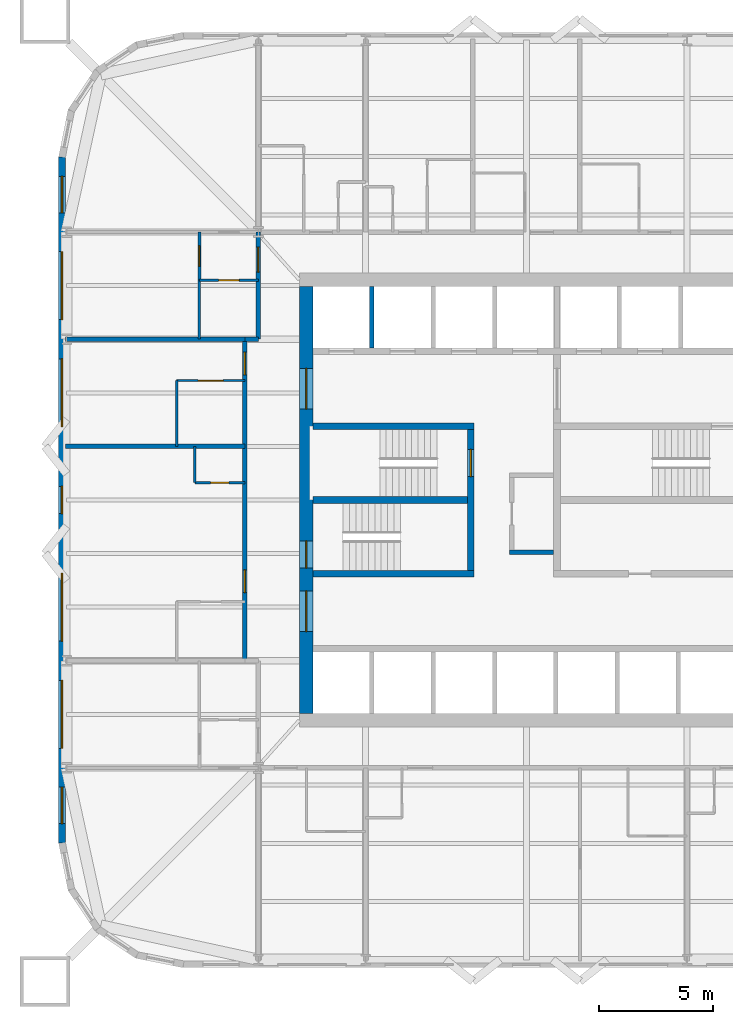
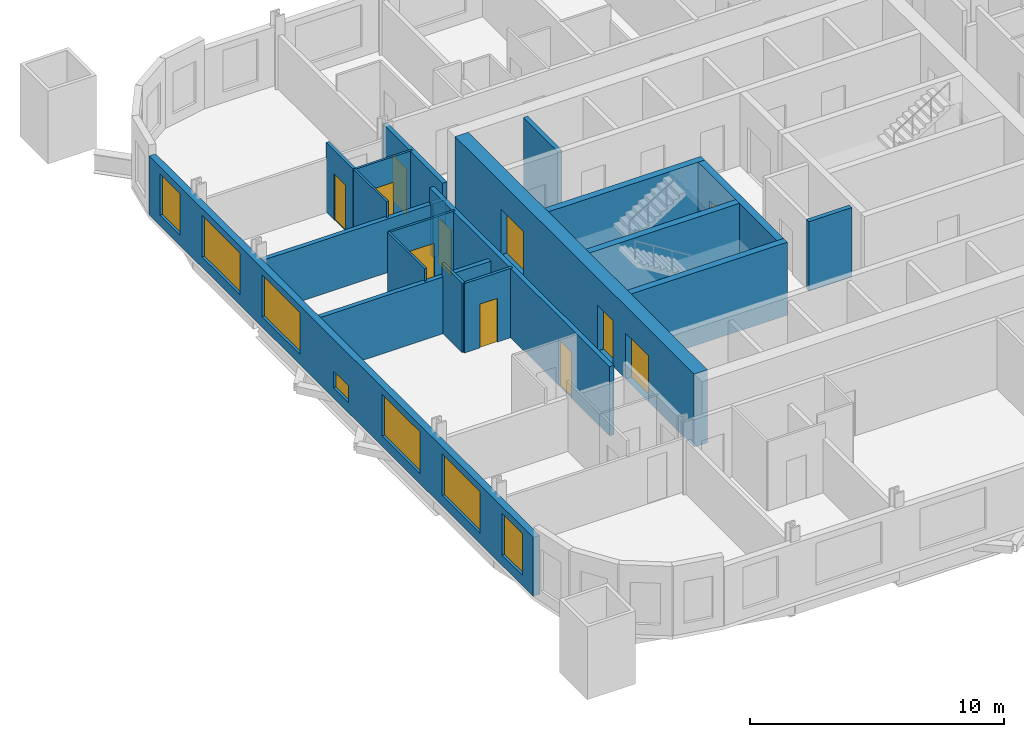
# One storey, part 4 of 9: 20 walls, 11 doors, 7 windows, 18 openings.
"""IFC4 building model written with IfcOpenShell, lengths in metres."""

from ifc_helpers import new_model, si_unit, direction, frame, frame_2d, origin, place, context, subcontext, project, spatial, rectangle, extrude, material, layer, layer_set, type_object, element, fill, save


model = new_model("IFC4")

# Units and contexts
model_context = context("Model", 3, precision=1e-05, world=origin(), true_north=direction((0.0, 1.0)))
body_context = subcontext(model_context, "Body", "Model", "MODEL_VIEW")
ifc_project = project(units=[si_unit("LENGTHUNIT", "METRE"), si_unit("AREAUNIT", "SQUARE_METRE"), si_unit("VOLUMEUNIT", "CUBIC_METRE"), si_unit("PLANEANGLEUNIT", "RADIAN"), si_unit("MASSUNIT", "GRAM", prefix="KILO")], contexts=[model_context])

# Site, building, storey
site_placement = place(None, origin())
site = spatial("IfcSite", under=ifc_project, at=site_placement, CompositionType="ELEMENT")
building_placement = place(site_placement, origin())
building = spatial("IfcBuilding", under=site, at=building_placement, Name="Turquesa Mirador Hotel Tower", CompositionType="ELEMENT")
storey_placement = place(building_placement, frame((0.0, 0.0, 121.39990234375)))
storey = spatial("IfcBuildingStorey", under=building, at=storey_placement, Name="L32", CompositionType="ELEMENT", Elevation=121.39990234375)

# Wall, opening, door
ifc_material_1 = material(Name="Gypsum board on steel studs", Category="steel")
ifc_layer_1 = layer(ifc_material_1, 0.10009765625)
ifc_layer_set_1 = layer_set([ifc_layer_1], Name="BATHROOM WALL 100")
wall_type_1 = type_object("IfcWallType", Name="BATHROOM WALL 100", PredefinedType="PARTITIONING", material=ifc_layer_set_1)
wall_1_placement = place(storey_placement, frame((39.60009765625, 50.260009765625, 0.0), z_axis=(0.0, 0.0, 1.0), x_axis=(1.0, 0.0, 0.0)))
wall_1 = element("IfcWall", 1, at=wall_1_placement, inside=storey, type_object=wall_type_1, Name="Partition L32 034", PredefinedType="PARTITIONING", context=body_context, shape_type="SweptSolid", body=[
    extrude(rectangle(XDim=3.0, YDim=0.10009765625, at=frame_2d((1.5, 0.0))), origin(), (0.0, 0.0, 1.0), 3.330078125),
])
opening_1_placement = place(wall_1_placement, frame((0.949951171875, 0.0, 0.0)))
opening_1 = element("IfcOpeningElement", 2, at=opening_1_placement, cuts=wall_1, Name="Opening D16", PredefinedType="OPENING", context=body_context, shape_type="SweptSolid", body=[
    extrude(rectangle(XDim=1.10009765625, YDim=2.10009765625, at=frame_2d((0.550048828125, 1.050048828125))), frame((0.0, 0.06005859375, 0.0), z_axis=(0.0, -1.0, 0.0), x_axis=(1.0, 0.0, 0.0)), (0.0, 0.0, 1.0), 0.1201171875),
])
ifc_material_2 = material(Name="Timber veneered sliding door", Category="wood")
door_type_1 = type_object("IfcDoorType", Name="DOOR 1100X2100 ACCESSIBLE EN-SUITE", OperationType="SLIDING_TO_LEFT", PredefinedType="DOOR", material=ifc_material_2)
door_1_placement = place(opening_1_placement, origin())
door_1 = element("IfcDoor", 3, at=door_1_placement, inside=storey, type_object=door_type_1, Name="Door 3212B", OperationType="SLIDING_TO_LEFT", OverallHeight=2.10009765625, OverallWidth=1.10009765625, PredefinedType="DOOR", context=body_context, shape_type="SweptSolid", body=[
    extrude(rectangle(XDim=1.10009765625, YDim=2.10009765625, at=frame_2d((0.550048828125, 1.050048828125))), frame((0.0, 0.02490234375, 0.0), z_axis=(0.0, -1.0, 0.0), x_axis=(1.0, 0.0, 0.0)), (0.0, 0.0, 1.0), 0.050048828125),
])
fill(opening_1, door_1)

wall_2_placement = place(storey_placement, frame((40.60009765625, 54.679931640625, 0.0), z_axis=(0.0, 0.0, 1.0), x_axis=(1.0, 0.0, 0.0)))
wall_2 = element("IfcWall", 4, at=wall_2_placement, inside=storey, type_object=wall_type_1, Name="Partition L32 039", PredefinedType="PARTITIONING", context=body_context, shape_type="SweptSolid", body=[
    extrude(rectangle(XDim=2.599853515625, YDim=0.10009765625, at=frame_2d((1.2998046875, 0.0))), origin(), (0.0, 0.0, 1.0), 3.330078125),
])
opening_2_placement = place(wall_2_placement, frame((0.85009765625, 0.0, 0.0)))
opening_2 = element("IfcOpeningElement", 5, at=opening_2_placement, cuts=wall_2, Name="Opening D02", PredefinedType="OPENING", context=body_context, shape_type="SweptSolid", body=[
    extrude(rectangle(XDim=0.89990234375, YDim=2.10009765625, at=frame_2d((0.449951171875, 1.050048828125))), frame((0.0, 0.06005859375, 0.0), z_axis=(0.0, -1.0, 0.0), x_axis=(1.0, 0.0, 0.0)), (0.0, 0.0, 1.0), 0.1201171875),
])
ifc_material_3 = material(Name="Timber veneered door", Category="wood")
door_type_2 = type_object("IfcDoorType", Name="DOOR 900X2100 EN-SUITE", OperationType="SINGLE_SWING_RIGHT", PredefinedType="DOOR", material=ifc_material_3)
door_2_placement = place(opening_2_placement, origin())
door_2 = element("IfcDoor", 6, at=door_2_placement, inside=storey, type_object=door_type_2, Name="Door 3214B", OperationType="SINGLE_SWING_RIGHT", OverallHeight=2.10009765625, OverallWidth=0.89990234375, PredefinedType="DOOR", context=body_context, shape_type="SweptSolid", body=[
    extrude(rectangle(XDim=0.89990234375, YDim=2.10009765625, at=frame_2d((0.449951171875, 1.050048828125))), frame((0.0, 0.02490234375, 0.0), z_axis=(0.0, -1.0, 0.0), x_axis=(1.0, 0.0, 0.0)), (0.0, 0.0, 1.0), 0.050048828125),
])
fill(opening_2, door_2)

# Walls
wall_3_placement = place(storey_placement, frame((40.60009765625, 52.080078125, 0.0), z_axis=(0.0, 0.0, 1.0), x_axis=(0.0, 1.0, 0.0)))
element("IfcWall", 7, at=wall_3_placement, inside=storey, type_object=wall_type_1, Name="Partition L32 048", PredefinedType="PARTITIONING", context=body_context, shape_type="SweptSolid", body=[
    extrude(rectangle(XDim=2.599853515625, YDim=0.10009765625, at=frame_2d((1.2998046875, 0.0))), origin(), (0.0, 0.0, 1.0), 3.330078125),
])
wall_4_placement = place(storey_placement, frame((39.60009765625, 47.360107421875, 0.0), z_axis=(0.0, 0.0, 1.0), x_axis=(0.0, 1.0, 0.0)))
element("IfcWall", 8, at=wall_4_placement, inside=storey, type_object=wall_type_1, Name="Partition L32 053", PredefinedType="PARTITIONING", context=body_context, shape_type="SweptSolid", body=[
    extrude(rectangle(XDim=2.89990234375, YDim=0.10009765625, at=frame_2d((1.449951171875, 0.0))), origin(), (0.0, 0.0, 1.0), 3.330078125),
])
ifc_material_4 = material(Name="Concrete C50/60", Category="concrete")
ifc_layer_2 = layer(ifc_material_4, 0.300048828125)
ifc_layer_set_2 = layer_set([ifc_layer_2], Name="CORE INNER WALL 300")
wall_type_2 = type_object("IfcWallType", Name="CORE INNER WALL 300", PredefinedType="SHEAR", material=ifc_layer_set_2)
for number, where, z_axis, x_axis, name in (
    (9, (45.60009765625, 48.25, 0.0), (0.0, 0.0, 1.0), (1.0, 0.0, 0.0), "Core wall MN-W"),
    (10, (45.60009765625, 41.75, 0.0), (0.0, 0.0, 1.0), (1.0, 0.0, 0.0), "Core wall MS-W"),
):
    element("IfcWall", number, at=place(storey_placement, frame(where, z_axis=z_axis, x_axis=x_axis)), inside=storey, type_object=wall_type_2, Name=name, PredefinedType="SHEAR", context=body_context, shape_type="SweptSolid", body=[
        extrude(rectangle(XDim=7.099853515625, YDim=0.300048828125, at=frame_2d((3.5498046875, 0.0))), origin(), (0.0, 0.0, 1.0), 3.5),
    ])

# Wall, opening, door
wall_5_placement = place(storey_placement, frame((52.550048828125, 41.89990234375, 0.0), z_axis=(0.0, 0.0, 1.0), x_axis=(0.0, 1.0, 0.0)))
wall_5 = element("IfcWall", 11, at=wall_5_placement, inside=storey, type_object=wall_type_2, Name="Core wall PW", PredefinedType="SHEAR", context=body_context, shape_type="SweptSolid", body=[
    extrude(rectangle(XDim=6.2001953125, YDim=0.300048828125, at=frame_2d((3.10009765625, 0.0))), origin(), (0.0, 0.0, 1.0), 3.5),
])
opening_3_placement = place(wall_5_placement, frame((4.125, 0.0, 0.0)))
opening_3 = element("IfcOpeningElement", 12, at=opening_3_placement, cuts=wall_5, Name="Opening D03", PredefinedType="OPENING", context=body_context, shape_type="SweptSolid", body=[
    extrude(rectangle(XDim=1.199951171875, YDim=2.199951171875, at=frame_2d((0.60009765625, 1.10009765625))), frame((0.0, 0.159912109375, 0.0), z_axis=(0.0, -1.0, 0.0), x_axis=(1.0, 0.0, 0.0)), (0.0, 0.0, 1.0), 0.320068359375),
])
ifc_material_5 = material(Name="Steel fire door", Category="steel")
door_type_3 = type_object("IfcDoorType", Name="DOOR 1200X2200 STAIR", OperationType="SINGLE_SWING_LEFT", PredefinedType="DOOR", material=ifc_material_5)
door_3_placement = place(opening_3_placement, origin())
door_3 = element("IfcDoor", 13, at=door_3_placement, inside=storey, type_object=door_type_3, Name="Stair ST1 door", OperationType="SINGLE_SWING_LEFT", OverallHeight=2.199951171875, OverallWidth=1.199951171875, PredefinedType="DOOR", context=body_context, shape_type="SweptSolid", body=[
    extrude(rectangle(XDim=1.199951171875, YDim=2.199951171875, at=frame_2d((0.60009765625, 1.10009765625))), frame((0.0, 0.02490234375, 0.0), z_axis=(0.0, -1.0, 0.0), x_axis=(1.0, 0.0, 0.0)), (0.0, 0.0, 1.0), 0.050048828125),
])
fill(opening_3, door_3)

# Wall
wall_6_placement = place(storey_placement, frame((45.60009765625, 45.0, 0.0), z_axis=(0.0, 0.0, 1.0), x_axis=(1.0, 0.0, 0.0)))
element("IfcWall", 14, at=wall_6_placement, inside=storey, type_object=wall_type_2, Name="Core wall M0-W", PredefinedType="SHEAR", context=body_context, shape_type="SweptSolid", body=[
    extrude(rectangle(XDim=6.7998046875, YDim=0.300048828125, at=frame_2d((3.39990234375, 0.0))), origin(), (0.0, 0.0, 1.0), 3.5),
])

# Wall, openings, doors
ifc_material_6 = material(Name="Concrete C50/60", Category="concrete")
ifc_layer_3 = layer(ifc_material_6, 0.60009765625)
ifc_layer_set_3 = layer_set([ifc_layer_3], Name="CORE WALL 600")
wall_type_3 = type_object("IfcWallType", Name="CORE WALL 600", PredefinedType="SHEAR", material=ifc_layer_set_3)
wall_7_placement = place(storey_placement, frame((45.300048828125, 35.60009765625, 0.0), z_axis=(0.0, 0.0, 1.0), x_axis=(0.0, 1.0, 0.0)))
wall_7 = element("IfcWall", 15, at=wall_7_placement, inside=storey, type_object=wall_type_3, Name="Core wall W", PredefinedType="SHEAR", context=body_context, shape_type="SweptSolid", body=[
    extrude(rectangle(XDim=18.7998046875, YDim=0.60009765625, at=frame_2d((9.39990234375, 0.0))), origin(), (0.0, 0.0, 1.0), 3.5),
])
opening_4_placement = place(wall_7_placement, frame((13.39990234375, 0.0, 0.0)))
opening_4 = element("IfcOpeningElement", 16, at=opening_4_placement, cuts=wall_7, Name="Opening D04", PredefinedType="OPENING", context=body_context, shape_type="SweptSolid", body=[
    extrude(rectangle(XDim=1.800048828125, YDim=2.199951171875, at=frame_2d((0.89990234375, 1.10009765625))), frame((0.0, 0.31005859375, 0.0), z_axis=(0.0, -1.0, 0.0), x_axis=(1.0, 0.0, 0.0)), (0.0, 0.0, 1.0), 0.6201171875),
])
opening_5_placement = place(wall_7_placement, frame((3.60009765625, 0.0, 0.0)))
opening_5 = element("IfcOpeningElement", 17, at=opening_5_placement, cuts=wall_7, Name="Opening D04", PredefinedType="OPENING", context=body_context, shape_type="SweptSolid", body=[
    extrude(rectangle(XDim=1.800048828125, YDim=2.199951171875, at=frame_2d((0.89990234375, 1.10009765625))), frame((0.0, 0.31005859375, 0.0), z_axis=(0.0, -1.0, 0.0), x_axis=(1.0, 0.0, 0.0)), (0.0, 0.0, 1.0), 0.6201171875),
])
opening_6_placement = place(wall_7_placement, frame((6.39990234375, 0.0, 0.0)))
opening_6 = element("IfcOpeningElement", 18, at=opening_6_placement, cuts=wall_7, Name="Opening D03", PredefinedType="OPENING", context=body_context, shape_type="SweptSolid", body=[
    extrude(rectangle(XDim=1.199951171875, YDim=2.199951171875, at=frame_2d((0.60009765625, 1.10009765625))), frame((0.0, 0.31005859375, 0.0), z_axis=(0.0, -1.0, 0.0), x_axis=(1.0, 0.0, 0.0)), (0.0, 0.0, 1.0), 0.6201171875),
])
door_4_placement = place(opening_6_placement, origin())
door_4 = element("IfcDoor", 19, at=door_4_placement, inside=storey, type_object=door_type_3, Name="Stair ST2 door", OperationType="SINGLE_SWING_LEFT", OverallHeight=2.199951171875, OverallWidth=1.199951171875, PredefinedType="DOOR", context=body_context, shape_type="SweptSolid", body=[
    extrude(rectangle(XDim=1.199951171875, YDim=2.199951171875, at=frame_2d((0.60009765625, 1.10009765625))), frame((0.0, 0.02490234375, 0.0), z_axis=(0.0, -1.0, 0.0), x_axis=(1.0, 0.0, 0.0)), (0.0, 0.0, 1.0), 0.050048828125),
])
fill(opening_6, door_4)
ifc_material_7 = material(Name="Steel fire door pair", Category="steel")
door_type_4 = type_object("IfcDoorType", Name="DOOR 1800X2200 PAIR", OperationType="DOUBLE_DOOR_SINGLE_SWING", PredefinedType="DOOR", material=ifc_material_7)
door_5_placement = place(opening_4_placement, origin())
door_5 = element("IfcDoor", 20, at=door_5_placement, inside=storey, type_object=door_type_4, Name="North lift lobby door", OperationType="DOUBLE_DOOR_SINGLE_SWING", OverallHeight=2.199951171875, OverallWidth=1.800048828125, PredefinedType="DOOR", context=body_context, shape_type="SweptSolid", body=[
    extrude(rectangle(XDim=1.800048828125, YDim=2.199951171875, at=frame_2d((0.89990234375, 1.10009765625))), frame((0.0, 0.02490234375, 0.0), z_axis=(0.0, -1.0, 0.0), x_axis=(1.0, 0.0, 0.0)), (0.0, 0.0, 1.0), 0.050048828125),
])
fill(opening_4, door_5)
door_6_placement = place(opening_5_placement, origin())
door_6 = element("IfcDoor", 21, at=door_6_placement, inside=storey, type_object=door_type_4, Name="South lift lobby door", OperationType="DOUBLE_DOOR_SINGLE_SWING", OverallHeight=2.199951171875, OverallWidth=1.800048828125, PredefinedType="DOOR", context=body_context, shape_type="SweptSolid", body=[
    extrude(rectangle(XDim=1.800048828125, YDim=2.199951171875, at=frame_2d((0.89990234375, 1.10009765625))), frame((0.0, 0.02490234375, 0.0), z_axis=(0.0, -1.0, 0.0), x_axis=(1.0, 0.0, 0.0)), (0.0, 0.0, 1.0), 0.050048828125),
])
fill(opening_5, door_6)

# Wall
ifc_material_8 = material(Name="Fire-rated gypsum board on steel studs", Category="steel")
ifc_layer_4 = layer(ifc_material_8, 0.199951171875)
ifc_layer_set_4 = layer_set([ifc_layer_4], Name="CORRIDOR WALL 200")
wall_type_4 = type_object("IfcWallType", Name="CORRIDOR WALL 200", PredefinedType="PARTITIONING", material=ifc_layer_set_4)
wall_8_placement = place(storey_placement, frame((42.60009765625, 52.080078125, 0.0), z_axis=(0.0, 0.0, 1.0), x_axis=(1.0, 0.0, 0.0)))
element("IfcWall", 22, at=wall_8_placement, inside=storey, type_object=wall_type_4, Name="Partition L32 035", PredefinedType="PARTITIONING", context=body_context, shape_type="SweptSolid", body=[
    extrude(rectangle(XDim=0.599853515625, YDim=0.199951171875, at=frame_2d((0.2998046875, 0.0))), origin(), (0.0, 0.0, 1.0), 2.5732421875),
])

# Wall, opening, door
wall_9_placement = place(storey_placement, frame((43.199951171875, 52.080078125, 0.0), z_axis=(0.0, 0.0, 1.0), x_axis=(0.0, 1.0, 0.0)))
wall_9 = element("IfcWall", 23, at=wall_9_placement, inside=storey, type_object=wall_type_4, Name="Partition L32 043", PredefinedType="PARTITIONING", context=body_context, shape_type="SweptSolid", body=[
    extrude(rectangle(XDim=4.719970703125, YDim=0.199951171875, at=frame_2d((2.35986328125, 0.0))), origin(), (0.0, 0.0, 1.0), 3.330078125),
])
opening_7_placement = place(wall_9_placement, frame((2.9599609375, 0.0, 0.0)))
opening_7 = element("IfcOpeningElement", 24, at=opening_7_placement, cuts=wall_9, Name="Opening D15", PredefinedType="OPENING", context=body_context, shape_type="SweptSolid", body=[
    extrude(rectangle(XDim=1.10009765625, YDim=2.199951171875, at=frame_2d((0.550048828125, 1.10009765625))), frame((0.0, 0.10986328125, 0.0), z_axis=(0.0, -1.0, 0.0), x_axis=(1.0, 0.0, 0.0)), (0.0, 0.0, 1.0), 0.219970703125),
])
ifc_material_9 = material(Name="Timber veneered fire door", Category="wood")
door_type_5 = type_object("IfcDoorType", Name="DOOR 1100X2200 SUITE ENTRY", OperationType="SINGLE_SWING_LEFT", PredefinedType="DOOR", material=ifc_material_9)
door_7_placement = place(opening_7_placement, origin())
door_7 = element("IfcDoor", 25, at=door_7_placement, inside=storey, type_object=door_type_5, Name="Door 3214H", OperationType="SINGLE_SWING_LEFT", OverallHeight=2.199951171875, OverallWidth=1.10009765625, PredefinedType="DOOR", context=body_context, shape_type="SweptSolid", body=[
    extrude(rectangle(XDim=1.10009765625, YDim=2.199951171875, at=frame_2d((0.550048828125, 1.10009765625))), frame((0.0, 0.02490234375, 0.0), z_axis=(0.0, -1.0, 0.0), x_axis=(1.0, 0.0, 0.0)), (0.0, 0.0, 1.0), 0.050048828125),
])
fill(opening_7, door_7)

# Wall, openings, doors
wall_10_placement = place(storey_placement, frame((42.60009765625, 37.919921875, 0.0), z_axis=(0.0, 0.0, 1.0), x_axis=(0.0, 1.0, 0.0)))
wall_10 = element("IfcWall", 26, at=wall_10_placement, inside=storey, type_object=wall_type_4, Name="Partition L32 046", PredefinedType="PARTITIONING", context=body_context, shape_type="SweptSolid", body=[
    extrude(rectangle(XDim=14.16015625, YDim=0.199951171875, at=frame_2d((7.080078125, 0.0))), origin(), (0.0, 0.0, 1.0), 3.330078125),
])
opening_8_placement = place(wall_10_placement, frame((3.0, 0.0, 0.0)))
opening_8 = element("IfcOpeningElement", 27, at=opening_8_placement, cuts=wall_10, Name="Opening D01", PredefinedType="OPENING", context=body_context, shape_type="SweptSolid", body=[
    extrude(rectangle(XDim=1.0, YDim=2.199951171875, at=frame_2d((0.5, 1.10009765625))), frame((0.0, 0.10986328125, 0.0), z_axis=(0.0, -1.0, 0.0), x_axis=(1.0, 0.0, 0.0)), (0.0, 0.0, 1.0), 0.219970703125),
])
opening_9_placement = place(wall_10_placement, frame((12.590087890625, 0.0, 0.0)))
opening_9 = element("IfcOpeningElement", 28, at=opening_9_placement, cuts=wall_10, Name="Opening D01", PredefinedType="OPENING", context=body_context, shape_type="SweptSolid", body=[
    extrude(rectangle(XDim=1.0, YDim=2.199951171875, at=frame_2d((0.5, 1.10009765625))), frame((0.0, 0.10986328125, 0.0), z_axis=(0.0, -1.0, 0.0), x_axis=(1.0, 0.0, 0.0)), (0.0, 0.0, 1.0), 0.219970703125),
])
ifc_material_10 = material(Name="Timber veneered fire door", Category="wood")
door_type_6 = type_object("IfcDoorType", Name="DOOR 1000X2200 GUEST ENTRY", OperationType="SINGLE_SWING_LEFT", PredefinedType="DOOR", material=ifc_material_10)
door_8_placement = place(opening_8_placement, origin())
door_8 = element("IfcDoor", 29, at=door_8_placement, inside=storey, type_object=door_type_6, Name="Door 3211", OperationType="SINGLE_SWING_LEFT", OverallHeight=2.199951171875, OverallWidth=1.0, PredefinedType="DOOR", context=body_context, shape_type="SweptSolid", body=[
    extrude(rectangle(XDim=1.0, YDim=2.199951171875, at=frame_2d((0.5, 1.10009765625))), frame((0.0, 0.02490234375, 0.0), z_axis=(0.0, -1.0, 0.0), x_axis=(1.0, 0.0, 0.0)), (0.0, 0.0, 1.0), 0.050048828125),
])
fill(opening_8, door_8)
door_9_placement = place(opening_9_placement, origin())
door_9 = element("IfcDoor", 30, at=door_9_placement, inside=storey, type_object=door_type_6, Name="Door 3212", OperationType="SINGLE_SWING_LEFT", OverallHeight=2.199951171875, OverallWidth=1.0, PredefinedType="DOOR", context=body_context, shape_type="SweptSolid", body=[
    extrude(rectangle(XDim=1.0, YDim=2.199951171875, at=frame_2d((0.5, 1.10009765625))), frame((0.0, 0.02490234375, 0.0), z_axis=(0.0, -1.0, 0.0), x_axis=(1.0, 0.0, 0.0)), (0.0, 0.0, 1.0), 0.050048828125),
])
fill(opening_9, door_9)

# Wall, openings, windows
ifc_material_11 = material(Name="Limestone cladding on concrete block", Category="masonry")
ifc_layer_5 = layer(ifc_material_11, 0.300048828125)
ifc_layer_set_5 = layer_set([ifc_layer_5], Name="FACADE WALL 300 STONE SCREEN")
wall_type_5 = type_object("IfcWallType", Name="FACADE WALL 300 STONE SCREEN", PredefinedType="SOLIDWALL", material=ifc_layer_set_5)
wall_11_placement = place(storey_placement, frame((34.550048828125, 60.10009765625, 0.0), z_axis=(0.0, 0.0, 1.0), x_axis=(0.0, -1.0, 0.0)))
wall_11 = element("IfcWall", 31, at=wall_11_placement, inside=storey, type_object=wall_type_5, Name="Facade wall L32 14", PredefinedType="SOLIDWALL", context=body_context, shape_type="SweptSolid", body=[
    extrude(rectangle(XDim=30.2001953125, YDim=0.300048828125, at=frame_2d((15.10009765625, 0.0))), origin(), (0.0, 0.0, 1.0), 2.830078125),
])
opening_10_placement = place(wall_11_placement, frame((0.85009765625, 0.0, 0.5)))
opening_10 = element("IfcOpeningElement", 32, at=opening_10_placement, cuts=wall_11, Name="Opening WN3", PredefinedType="OPENING", context=body_context, shape_type="SweptSolid", body=[
    extrude(rectangle(XDim=1.60009765625, YDim=2.0, at=frame_2d((0.800048828125, 1.0))), frame((0.0, 0.159912109375, 0.0), z_axis=(0.0, -1.0, 0.0), x_axis=(1.0, 0.0, 0.0)), (0.0, 0.0, 1.0), 0.320068359375),
])
opening_11_placement = place(wall_11_placement, frame((4.159912109375, 0.0, 0.5)))
opening_11 = element("IfcOpeningElement", 33, at=opening_11_placement, cuts=wall_11, Name="Opening WN1", PredefinedType="OPENING", context=body_context, shape_type="SweptSolid", body=[
    extrude(rectangle(XDim=3.0, YDim=2.0, at=frame_2d((1.5, 1.0))), frame((0.0, 0.159912109375, 0.0), z_axis=(0.0, -1.0, 0.0), x_axis=(1.0, 0.0, 0.0)), (0.0, 0.0, 1.0), 0.320068359375),
])
opening_12_placement = place(wall_11_placement, frame((8.8798828125, 0.0, 0.5)))
opening_12 = element("IfcOpeningElement", 34, at=opening_12_placement, cuts=wall_11, Name="Opening WN1", PredefinedType="OPENING", context=body_context, shape_type="SweptSolid", body=[
    extrude(rectangle(XDim=3.0, YDim=2.0, at=frame_2d((1.5, 1.0))), frame((0.0, 0.159912109375, 0.0), z_axis=(0.0, -1.0, 0.0), x_axis=(1.0, 0.0, 0.0)), (0.0, 0.0, 1.0), 0.320068359375),
])
opening_13_placement = place(wall_11_placement, frame((14.5, 0.0, 0.5)))
opening_13 = element("IfcOpeningElement", 35, at=opening_13_placement, cuts=wall_11, Name="Opening WN39", PredefinedType="OPENING", context=body_context, shape_type="SweptSolid", body=[
    extrude(rectangle(XDim=1.199951171875, YDim=0.800048828125, at=frame_2d((0.60009765625, 0.39990234375))), frame((0.0, 0.159912109375, 0.0), z_axis=(0.0, -1.0, 0.0), x_axis=(1.0, 0.0, 0.0)), (0.0, 0.0, 1.0), 0.320068359375),
])
opening_14_placement = place(wall_11_placement, frame((18.320068359375, 0.0, 0.5)))
opening_14 = element("IfcOpeningElement", 36, at=opening_14_placement, cuts=wall_11, Name="Opening WN1", PredefinedType="OPENING", context=body_context, shape_type="SweptSolid", body=[
    extrude(rectangle(XDim=3.0, YDim=2.0, at=frame_2d((1.5, 1.0))), frame((0.0, 0.159912109375, 0.0), z_axis=(0.0, -1.0, 0.0), x_axis=(1.0, 0.0, 0.0)), (0.0, 0.0, 1.0), 0.320068359375),
])
opening_15_placement = place(wall_11_placement, frame((23.0400390625, 0.0, 0.5)))
opening_15 = element("IfcOpeningElement", 37, at=opening_15_placement, cuts=wall_11, Name="Opening WN1", PredefinedType="OPENING", context=body_context, shape_type="SweptSolid", body=[
    extrude(rectangle(XDim=3.0, YDim=2.0, at=frame_2d((1.5, 1.0))), frame((0.0, 0.159912109375, 0.0), z_axis=(0.0, -1.0, 0.0), x_axis=(1.0, 0.0, 0.0)), (0.0, 0.0, 1.0), 0.320068359375),
])
opening_16_placement = place(wall_11_placement, frame((27.75, 0.0, 0.5)))
opening_16 = element("IfcOpeningElement", 38, at=opening_16_placement, cuts=wall_11, Name="Opening WN3", PredefinedType="OPENING", context=body_context, shape_type="SweptSolid", body=[
    extrude(rectangle(XDim=1.60009765625, YDim=2.0, at=frame_2d((0.800048828125, 1.0))), frame((0.0, 0.159912109375, 0.0), z_axis=(0.0, -1.0, 0.0), x_axis=(1.0, 0.0, 0.0)), (0.0, 0.0, 1.0), 0.320068359375),
])
ifc_material_12 = material(Name="Ceramic-fritted laminated glass", Category="glass")
window_type_1 = type_object("IfcWindowType", Name="FRITTED WINDOW 1200X800", PartitioningType="DOUBLE_PANEL_HORIZONTAL", PredefinedType="WINDOW", material=ifc_material_12)
window_1_placement = place(opening_13_placement, origin())
window_1 = element("IfcWindow", 39, at=window_1_placement, inside=storey, type_object=window_type_1, Name="Window L32", OverallHeight=0.800048828125, OverallWidth=1.199951171875, PartitioningType="SINGLE_PANEL", PredefinedType="WINDOW", context=body_context, shape_type="SweptSolid", body=[
    extrude(rectangle(XDim=1.199951171875, YDim=0.800048828125, at=frame_2d((0.60009765625, 0.39990234375))), frame((0.0, 0.030029296875, 0.0), z_axis=(0.0, -1.0, 0.0), x_axis=(1.0, 0.0, 0.0)), (0.0, 0.0, 1.0), 0.06005859375),
])
fill(opening_13, window_1)
ifc_material_13 = material(Name="Ceramic-fritted laminated glass", Category="glass")
window_type_2 = type_object("IfcWindowType", Name="FRITTED WINDOW 1600X2000", PartitioningType="DOUBLE_PANEL_HORIZONTAL", PredefinedType="WINDOW", material=ifc_material_13)
window_2_placement = place(opening_10_placement, origin())
window_2 = element("IfcWindow", 40, at=window_2_placement, inside=storey, type_object=window_type_2, Name="Window L32", OverallHeight=2.0, OverallWidth=1.60009765625, PartitioningType="SINGLE_PANEL", PredefinedType="WINDOW", context=body_context, shape_type="SweptSolid", body=[
    extrude(rectangle(XDim=1.60009765625, YDim=2.0, at=frame_2d((0.800048828125, 1.0))), frame((0.0, 0.030029296875, 0.0), z_axis=(0.0, -1.0, 0.0), x_axis=(1.0, 0.0, 0.0)), (0.0, 0.0, 1.0), 0.06005859375),
])
fill(opening_10, window_2)
window_3_placement = place(opening_16_placement, origin())
window_3 = element("IfcWindow", 41, at=window_3_placement, inside=storey, type_object=window_type_2, Name="Window L32", OverallHeight=2.0, OverallWidth=1.60009765625, PartitioningType="SINGLE_PANEL", PredefinedType="WINDOW", context=body_context, shape_type="SweptSolid", body=[
    extrude(rectangle(XDim=1.60009765625, YDim=2.0, at=frame_2d((0.800048828125, 1.0))), frame((0.0, 0.030029296875, 0.0), z_axis=(0.0, -1.0, 0.0), x_axis=(1.0, 0.0, 0.0)), (0.0, 0.0, 1.0), 0.06005859375),
])
fill(opening_16, window_3)
ifc_material_14 = material(Name="Ceramic-fritted laminated glass", Category="glass")
window_type_3 = type_object("IfcWindowType", Name="FRITTED WINDOW 3000X2000", PartitioningType="DOUBLE_PANEL_HORIZONTAL", PredefinedType="WINDOW", material=ifc_material_14)
window_4_placement = place(opening_11_placement, origin())
window_4 = element("IfcWindow", 42, at=window_4_placement, inside=storey, type_object=window_type_3, Name="Window L32", OverallHeight=2.0, OverallWidth=3.0, PartitioningType="SINGLE_PANEL", PredefinedType="WINDOW", context=body_context, shape_type="SweptSolid", body=[
    extrude(rectangle(XDim=3.0, YDim=2.0, at=frame_2d((1.5, 1.0))), frame((0.0, 0.030029296875, 0.0), z_axis=(0.0, -1.0, 0.0), x_axis=(1.0, 0.0, 0.0)), (0.0, 0.0, 1.0), 0.06005859375),
])
fill(opening_11, window_4)
window_5_placement = place(opening_12_placement, origin())
window_5 = element("IfcWindow", 43, at=window_5_placement, inside=storey, type_object=window_type_3, Name="Window L32", OverallHeight=2.0, OverallWidth=3.0, PartitioningType="SINGLE_PANEL", PredefinedType="WINDOW", context=body_context, shape_type="SweptSolid", body=[
    extrude(rectangle(XDim=3.0, YDim=2.0, at=frame_2d((1.5, 1.0))), frame((0.0, 0.030029296875, 0.0), z_axis=(0.0, -1.0, 0.0), x_axis=(1.0, 0.0, 0.0)), (0.0, 0.0, 1.0), 0.06005859375),
])
fill(opening_12, window_5)
window_6_placement = place(opening_14_placement, origin())
window_6 = element("IfcWindow", 44, at=window_6_placement, inside=storey, type_object=window_type_3, Name="Window L32", OverallHeight=2.0, OverallWidth=3.0, PartitioningType="SINGLE_PANEL", PredefinedType="WINDOW", context=body_context, shape_type="SweptSolid", body=[
    extrude(rectangle(XDim=3.0, YDim=2.0, at=frame_2d((1.5, 1.0))), frame((0.0, 0.030029296875, 0.0), z_axis=(0.0, -1.0, 0.0), x_axis=(1.0, 0.0, 0.0)), (0.0, 0.0, 1.0), 0.06005859375),
])
fill(opening_14, window_6)
window_7_placement = place(opening_15_placement, origin())
window_7 = element("IfcWindow", 45, at=window_7_placement, inside=storey, type_object=window_type_3, Name="Window L32", OverallHeight=2.0, OverallWidth=3.0, PartitioningType="SINGLE_PANEL", PredefinedType="WINDOW", context=body_context, shape_type="SweptSolid", body=[
    extrude(rectangle(XDim=3.0, YDim=2.0, at=frame_2d((1.5, 1.0))), frame((0.0, 0.030029296875, 0.0), z_axis=(0.0, -1.0, 0.0), x_axis=(1.0, 0.0, 0.0)), (0.0, 0.0, 1.0), 0.06005859375),
])
fill(opening_15, window_7)

# Walls
ifc_material_15 = material(Name="Fire-rated gypsum board on steel studs", Category="steel")
ifc_layer_6 = layer(ifc_material_15, 0.199951171875)
ifc_layer_set_6 = layer_set([ifc_layer_6], Name="FIRE PARTITION 200")
wall_type_6 = type_object("IfcWallType", Name="FIRE PARTITION 200", PredefinedType="PARTITIONING", material=ifc_layer_set_6)
wall_12_placement = place(storey_placement, frame((54.25, 42.699951171875, 0.0), z_axis=(0.0, 0.0, 1.0), x_axis=(1.0, 0.0, 0.0)))
element("IfcWall", 46, at=wall_12_placement, inside=storey, type_object=wall_type_6, Name="Partition L32 GL S", PredefinedType="PARTITIONING", context=body_context, shape_type="SweptSolid", body=[
    extrude(rectangle(XDim=1.949951171875, YDim=0.199951171875, at=frame_2d((0.97509765625, 0.0))), origin(), (0.0, 0.0, 1.0), 3.330078125),
])
ifc_material_16 = material(Name="Fire-rated gypsum shaft wall on steel studs", Category="steel")
ifc_layer_7 = layer(ifc_material_16, 0.199951171875)
ifc_layer_set_7 = layer_set([ifc_layer_7], Name="LIFT SHAFT DIVIDER 200")
wall_type_7 = type_object("IfcWallType", Name="LIFT SHAFT DIVIDER 200", PredefinedType="PARTITIONING", material=ifc_layer_set_7)
wall_13_placement = place(storey_placement, frame((48.199951171875, 51.699951171875, 0.0), z_axis=(0.0, 0.0, 1.0), x_axis=(0.0, 1.0, 0.0)))
element("IfcWall", 47, at=wall_13_placement, inside=storey, type_object=wall_type_7, Name="Lift shaft divider", PredefinedType="PARTITIONING", context=body_context, shape_type="SweptSolid", body=[
    extrude(rectangle(XDim=2.699951171875, YDim=0.199951171875, at=frame_2d((1.35009765625, 0.0))), origin(), (0.0, 0.0, 1.0), 3.330078125),
])
ifc_material_17 = material(Name="Fire-rated gypsum board on steel studs", Category="steel")
ifc_layer_8 = layer(ifc_material_17, 0.199951171875)
ifc_layer_set_8 = layer_set([ifc_layer_8], Name="PARTY WALL 200")
wall_type_8 = type_object("IfcWallType", Name="PARTY WALL 200", PredefinedType="PARTITIONING", material=ifc_layer_set_8)
wall_14_placement = place(storey_placement, frame((34.699951171875, 47.360107421875, 0.0), z_axis=(0.0, 0.0, 1.0), x_axis=(1.0, 0.0, 0.0)))
element("IfcWall", 48, at=wall_14_placement, inside=storey, type_object=wall_type_8, Name="Partition L32 031", PredefinedType="PARTITIONING", context=body_context, shape_type="SweptSolid", body=[
    extrude(rectangle(XDim=7.900146484375, YDim=0.199951171875, at=frame_2d((3.9501953125, 0.0))), origin(), (0.0, 0.0, 1.0), 2.730712890625),
])
wall_15_placement = place(storey_placement, frame((34.699951171875, 52.080078125, 0.0), z_axis=(0.0, 0.0, 1.0), x_axis=(1.0, 0.0, 0.0)))
element("IfcWall", 49, at=wall_15_placement, inside=storey, type_object=wall_type_8, Name="Partition L32 037", PredefinedType="PARTITIONING", context=body_context, shape_type="SweptSolid", body=[
    extrude(rectangle(XDim=7.900146484375, YDim=0.199951171875, at=frame_2d((3.9501953125, 0.0))), origin(), (0.0, 0.0, 1.0), 2.5732421875),
])

# Wall, opening, door
ifc_material_18 = material(Name="Acoustic gypsum board on steel studs", Category="steel")
ifc_layer_9 = layer(ifc_material_18, 0.125)
ifc_layer_set_9 = layer_set([ifc_layer_9], Name="SUITE PARTITION 125")
wall_type_9 = type_object("IfcWallType", Name="SUITE PARTITION 125", PredefinedType="PARTITIONING", material=ifc_layer_set_9)
wall_16_placement = place(storey_placement, frame((40.39990234375, 45.760009765625, 0.0), z_axis=(0.0, 0.0, 1.0), x_axis=(1.0, 0.0, 0.0)))
wall_16 = element("IfcWall", 50, at=wall_16_placement, inside=storey, type_object=wall_type_9, Name="Partition L32 020", PredefinedType="PARTITIONING", context=body_context, shape_type="SweptSolid", body=[
    extrude(rectangle(XDim=2.2001953125, YDim=0.125, at=frame_2d((1.10009765625, 0.0))), origin(), (0.0, 0.0, 1.0), 3.330078125),
])
opening_17_placement = place(wall_16_placement, frame((0.699951171875, 0.0, 0.0)))
opening_17 = element("IfcOpeningElement", 51, at=opening_17_placement, cuts=wall_16, Name="Opening D20", PredefinedType="OPENING", context=body_context, shape_type="SweptSolid", body=[
    extrude(rectangle(XDim=0.800048828125, YDim=2.10009765625, at=frame_2d((0.39990234375, 1.050048828125))), frame((0.0, 0.072509765625, 0.0), z_axis=(0.0, -1.0, 0.0), x_axis=(1.0, 0.0, 0.0)), (0.0, 0.0, 1.0), 0.14501953125),
])
ifc_material_19 = material(Name="Timber veneered sliding door", Category="wood")
door_type_7 = type_object("IfcDoorType", Name="DOOR 800X2100 WARDROBE", OperationType="SLIDING_TO_LEFT", PredefinedType="DOOR", material=ifc_material_19)
door_10_placement = place(opening_17_placement, origin())
door_10 = element("IfcDoor", 52, at=door_10_placement, inside=storey, type_object=door_type_7, Name="Door 3211W", OperationType="SLIDING_TO_LEFT", OverallHeight=2.10009765625, OverallWidth=0.800048828125, PredefinedType="DOOR", context=body_context, shape_type="SweptSolid", body=[
    extrude(rectangle(XDim=0.800048828125, YDim=2.10009765625, at=frame_2d((0.39990234375, 1.050048828125))), frame((0.0, 0.02490234375, 0.0), z_axis=(0.0, -1.0, 0.0), x_axis=(1.0, 0.0, 0.0)), (0.0, 0.0, 1.0), 0.050048828125),
])
fill(opening_17, door_10)

wall_17_placement = place(storey_placement, frame((40.60009765625, 54.679931640625, 0.0), z_axis=(0.0, 0.0, 1.0), x_axis=(0.0, 1.0, 0.0)))
wall_17 = element("IfcWall", 53, at=wall_17_placement, inside=storey, type_object=wall_type_9, Name="Partition L32 050", PredefinedType="PARTITIONING", context=body_context, shape_type="SweptSolid", body=[
    extrude(rectangle(XDim=2.1201171875, YDim=0.125, at=frame_2d((1.06005859375, 0.0))), origin(), (0.0, 0.0, 1.0), 3.330078125),
])
opening_18_placement = place(wall_17_placement, frame((0.610107421875, 0.0, 0.0)))
opening_18 = element("IfcOpeningElement", 54, at=opening_18_placement, cuts=wall_17, Name="Opening D17", PredefinedType="OPENING", context=body_context, shape_type="SweptSolid", body=[
    extrude(rectangle(XDim=0.89990234375, YDim=2.199951171875, at=frame_2d((0.449951171875, 1.10009765625))), frame((0.0, 0.072509765625, 0.0), z_axis=(0.0, -1.0, 0.0), x_axis=(1.0, 0.0, 0.0)), (0.0, 0.0, 1.0), 0.14501953125),
])
ifc_material_20 = material(Name="Timber veneered door", Category="wood")
door_type_8 = type_object("IfcDoorType", Name="DOOR 900X2200 SUITE INTERNAL", OperationType="SINGLE_SWING_LEFT", PredefinedType="DOOR", material=ifc_material_20)
door_11_placement = place(opening_18_placement, origin())
door_11 = element("IfcDoor", 55, at=door_11_placement, inside=storey, type_object=door_type_8, Name="Door 3214R", OperationType="SINGLE_SWING_LEFT", OverallHeight=2.199951171875, OverallWidth=0.89990234375, PredefinedType="DOOR", context=body_context, shape_type="SweptSolid", body=[
    extrude(rectangle(XDim=0.89990234375, YDim=2.199951171875, at=frame_2d((0.449951171875, 1.10009765625))), frame((0.0, 0.02490234375, 0.0), z_axis=(0.0, -1.0, 0.0), x_axis=(1.0, 0.0, 0.0)), (0.0, 0.0, 1.0), 0.050048828125),
])
fill(opening_18, door_11)

# Wall
wall_18_placement = place(storey_placement, frame((40.39990234375, 45.760009765625, 0.0), z_axis=(0.0, 0.0, 1.0), x_axis=(0.0, 1.0, 0.0)))
element("IfcWall", 56, at=wall_18_placement, inside=storey, type_object=wall_type_9, Name="Partition L32 051", PredefinedType="PARTITIONING", context=body_context, shape_type="SweptSolid", body=[
    extrude(rectangle(XDim=1.60009765625, YDim=0.125, at=frame_2d((0.800048828125, 0.0))), origin(), (0.0, 0.0, 1.0), 3.330078125),
])

save(model, "model.ifc")
